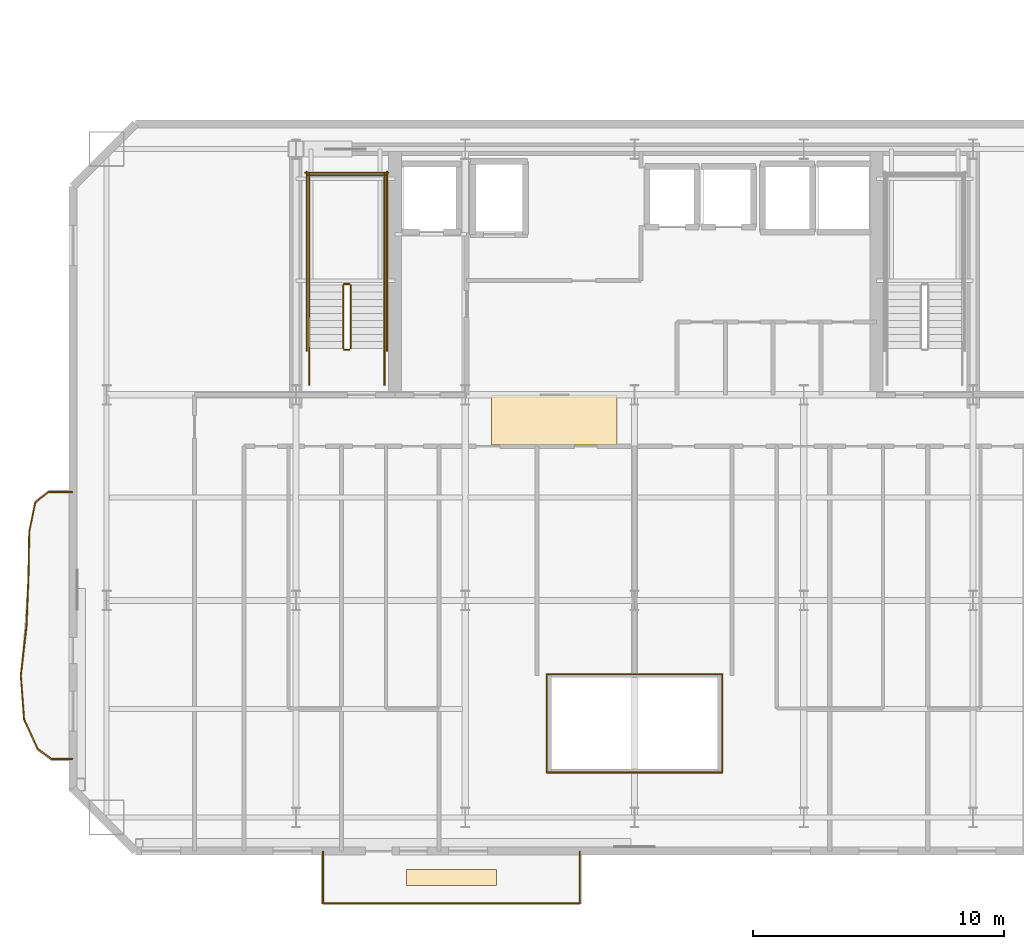
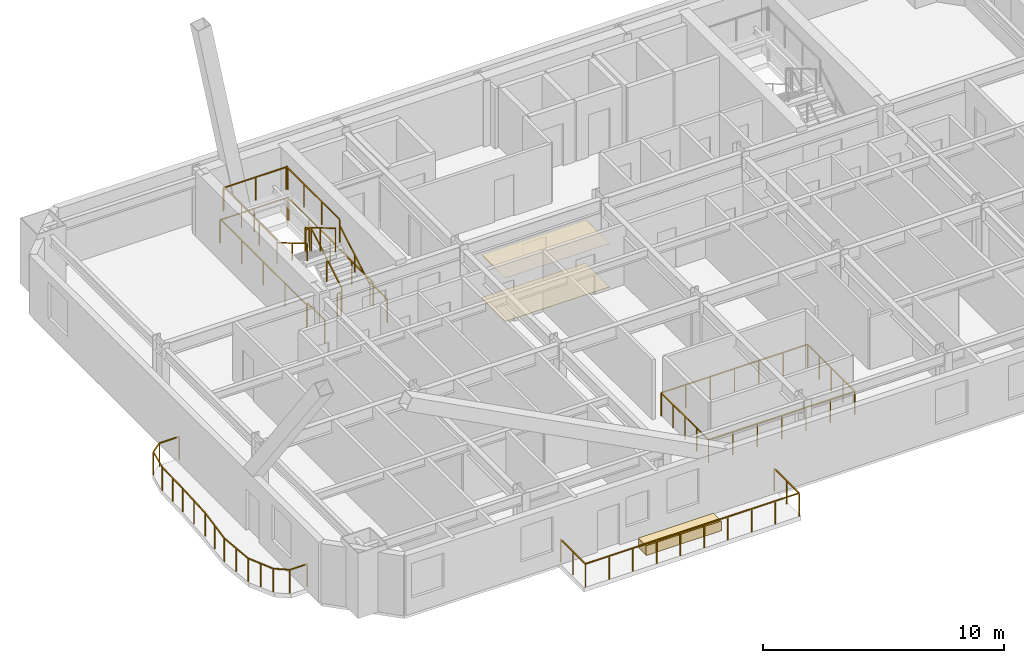
# One storey, part 11 of 14: 31 railings, 3 coverings.
"""IFC4 building model written with IfcOpenShell, lengths in metres."""

from ifc_helpers import new_model, si_unit, direction, frame, origin, origin_2d, place, context, subcontext, project, spatial, polyline, rectangle, outline, extrude, material, layer, layer_set, type_object, element, save


model = new_model("IFC4")

# Units and contexts
model_context = context("Model", 3, precision=1e-05, world=origin(), true_north=direction((0.0, 1.0)))
body_context = subcontext(model_context, "Body", "Model", "MODEL_VIEW")
ifc_project = project(units=[si_unit("LENGTHUNIT", "METRE"), si_unit("AREAUNIT", "SQUARE_METRE"), si_unit("VOLUMEUNIT", "CUBIC_METRE"), si_unit("PLANEANGLEUNIT", "RADIAN"), si_unit("MASSUNIT", "GRAM", prefix="KILO")], contexts=[model_context])

# Site, building, storey
site_placement = place(None, origin())
site = spatial("IfcSite", under=ifc_project, at=site_placement, CompositionType="ELEMENT")
building_placement = place(site_placement, origin())
building = spatial("IfcBuilding", under=site, at=building_placement, Name="Haevon Station Towers", CompositionType="ELEMENT")
storey_placement = place(building_placement, frame((0.0, 0.0, 123.0)))
storey = spatial("IfcBuildingStorey", under=building, at=storey_placement, Name="L33", CompositionType="ELEMENT", Elevation=123.0)

# Railings
ifc_material_1 = material(Name="Steel S355", Category="steel")
railing_type_1 = type_object("IfcRailingType", Name="BAL-ATR1200", PredefinedType="BALUSTRADE", material=ifc_material_1)
railing_1_placement = place(storey_placement, frame((33.995361328125, 23.141357421875, 0.0)))
element("IfcRailing", 1, at=railing_1_placement, inside=storey, type_object=railing_type_1, Name="L33 Atrium Void Balustrade 1", PredefinedType="BALUSTRADE", context=body_context, shape_type="SweptSolid", body=[
    extrude(rectangle(XDim=0.048095703125, YDim=0.048095703125, at=origin_2d()), frame((0.0, 0.0, 1.17578125), z_axis=(1.0, 0.0, 0.0), x_axis=(0.0, 1.0, 0.0)), (0.0, 0.0, 1.0), 7.00927734375),
    extrude(rectangle(XDim=0.0419921875, YDim=0.0419921875, at=origin_2d()), origin(), (0.0, 0.0, 1.0), 1.15185546875),
    extrude(rectangle(XDim=0.0419921875, YDim=0.0419921875, at=origin_2d()), frame((1.168212890625, 0.0, 0.0)), (0.0, 0.0, 1.0), 1.15185546875),
    extrude(rectangle(XDim=0.0419921875, YDim=0.0419921875, at=origin_2d()), frame((2.33642578125, 0.0, 0.0)), (0.0, 0.0, 1.0), 1.15185546875),
    extrude(rectangle(XDim=0.0419921875, YDim=0.0419921875, at=origin_2d()), frame((3.504638671875, 0.0, 0.0)), (0.0, 0.0, 1.0), 1.15185546875),
    extrude(rectangle(XDim=0.0419921875, YDim=0.0419921875, at=origin_2d()), frame((4.6728515625, 0.0, 0.0)), (0.0, 0.0, 1.0), 1.15185546875),
    extrude(rectangle(XDim=0.0419921875, YDim=0.0419921875, at=origin_2d()), frame((5.841064453125, 0.0, 0.0)), (0.0, 0.0, 1.0), 1.15185546875),
    extrude(rectangle(XDim=0.0419921875, YDim=0.0419921875, at=origin_2d()), frame((7.00927734375, 0.0, 0.0)), (0.0, 0.0, 1.0), 1.15185546875),
])
railing_2_placement = place(storey_placement, frame((41.004638671875, 23.141357421875, 0.0)))
element("IfcRailing", 2, at=railing_2_placement, inside=storey, type_object=railing_type_1, Name="L33 Atrium Void Balustrade 2", PredefinedType="BALUSTRADE", context=body_context, shape_type="SweptSolid", body=[
    extrude(rectangle(XDim=0.048095703125, YDim=0.048095703125, at=origin_2d()), frame((0.0, 0.0, 1.17578125), z_axis=(0.0, 1.0, 0.0), x_axis=(-1.0, 0.0, 0.0)), (0.0, 0.0, 1.0), 3.917236328125),
    extrude(rectangle(XDim=0.0419921875, YDim=0.0419921875, at=origin_2d()), origin(), (0.0, 0.0, 1.0), 1.15185546875),
    extrude(rectangle(XDim=0.0419921875, YDim=0.0419921875, at=origin_2d()), frame((0.0, 0.979248046875, 0.0)), (0.0, 0.0, 1.0), 1.15185546875),
    extrude(rectangle(XDim=0.0419921875, YDim=0.0419921875, at=origin_2d()), frame((0.0, 1.95849609375, 0.0)), (0.0, 0.0, 1.0), 1.15185546875),
    extrude(rectangle(XDim=0.0419921875, YDim=0.0419921875, at=origin_2d()), frame((0.0, 2.93798828125, 0.0)), (0.0, 0.0, 1.0), 1.15185546875),
    extrude(rectangle(XDim=0.0419921875, YDim=0.0419921875, at=origin_2d()), frame((0.0, 3.917236328125, 0.0)), (0.0, 0.0, 1.0), 1.15185546875),
])
railing_3_placement = place(storey_placement, frame((41.004638671875, 27.05859375, 0.0)))
element("IfcRailing", 3, at=railing_3_placement, inside=storey, type_object=railing_type_1, Name="L33 Atrium Void Balustrade 3", PredefinedType="BALUSTRADE", context=body_context, shape_type="SweptSolid", body=[
    extrude(rectangle(XDim=0.048095703125, YDim=0.048095703125, at=origin_2d()), frame((0.0, 0.0, 1.17578125), z_axis=(-1.0, 0.0, 0.0), x_axis=(0.0, -1.0, 0.0)), (0.0, 0.0, 1.0), 7.00927734375),
    extrude(rectangle(XDim=0.0419921875, YDim=0.0419921875, at=origin_2d()), origin(), (0.0, 0.0, 1.0), 1.15185546875),
    extrude(rectangle(XDim=0.0419921875, YDim=0.0419921875, at=origin_2d()), frame((-1.168212890625, 0.0, 0.0)), (0.0, 0.0, 1.0), 1.15185546875),
    extrude(rectangle(XDim=0.0419921875, YDim=0.0419921875, at=origin_2d()), frame((-2.33642578125, 0.0, 0.0)), (0.0, 0.0, 1.0), 1.15185546875),
    extrude(rectangle(XDim=0.0419921875, YDim=0.0419921875, at=origin_2d()), frame((-3.504638671875, 0.0, 0.0)), (0.0, 0.0, 1.0), 1.15185546875),
    extrude(rectangle(XDim=0.0419921875, YDim=0.0419921875, at=origin_2d()), frame((-4.6728515625, 0.0, 0.0)), (0.0, 0.0, 1.0), 1.15185546875),
    extrude(rectangle(XDim=0.0419921875, YDim=0.0419921875, at=origin_2d()), frame((-5.841064453125, 0.0, 0.0)), (0.0, 0.0, 1.0), 1.15185546875),
    extrude(rectangle(XDim=0.0419921875, YDim=0.0419921875, at=origin_2d()), frame((-7.00927734375, 0.0, 0.0)), (0.0, 0.0, 1.0), 1.15185546875),
])
railing_4_placement = place(storey_placement, frame((33.995361328125, 27.05859375, 0.0)))
element("IfcRailing", 4, at=railing_4_placement, inside=storey, type_object=railing_type_1, Name="L33 Atrium Void Balustrade 4", PredefinedType="BALUSTRADE", context=body_context, shape_type="SweptSolid", body=[
    extrude(rectangle(XDim=0.048095703125, YDim=0.048095703125, at=origin_2d()), frame((0.0, 0.0, 1.17578125), z_axis=(0.0, -1.0, 0.0), x_axis=(1.0, 0.0, 0.0)), (0.0, 0.0, 1.0), 3.917236328125),
    extrude(rectangle(XDim=0.0419921875, YDim=0.0419921875, at=origin_2d()), origin(), (0.0, 0.0, 1.0), 1.15185546875),
    extrude(rectangle(XDim=0.0419921875, YDim=0.0419921875, at=origin_2d()), frame((0.0, -0.979248046875, 0.0)), (0.0, 0.0, 1.0), 1.15185546875),
    extrude(rectangle(XDim=0.0419921875, YDim=0.0419921875, at=origin_2d()), frame((0.0, -1.95849609375, 0.0)), (0.0, 0.0, 1.0), 1.15185546875),
    extrude(rectangle(XDim=0.0419921875, YDim=0.0419921875, at=origin_2d()), frame((0.0, -2.93798828125, 0.0)), (0.0, 0.0, 1.0), 1.15185546875),
    extrude(rectangle(XDim=0.0419921875, YDim=0.0419921875, at=origin_2d()), frame((0.0, -3.917236328125, 0.0)), (0.0, 0.0, 1.0), 1.15185546875),
])

# Coverings
ifc_material_2 = material(Name="Gypsum acoustic ceiling tile", Category="concrete")
ifc_layer_1 = layer(ifc_material_2, 0.014892578125)
ifc_layer_set_1 = layer_set([ifc_layer_1], Name="Gypsum acoustic ceiling tile")
covering_type_1 = type_object("IfcCoveringType", Name="COV-CEIL15", PredefinedType="CEILING", material=ifc_layer_set_1)
covering_1_placement = place(storey_placement, frame((0.0, 0.0, 2.199951171875)))
element("IfcCovering", 5, at=covering_1_placement, inside=storey, type_object=covering_type_1, Name="L33 Acoustic Corridor Ceiling", PredefinedType="CEILING", context=body_context, shape_type="SweptSolid", body=[
    extrude(outline(polyline([(31.800048828125, 36.199951171875), (36.800048828125, 36.199951171875), (36.800048828125, 38.199951171875), (31.800048828125, 38.199951171875), (31.800048828125, 36.199951171875)])), origin(), (0.0, 0.0, 1.0), 0.01513671875),
])
ifc_material_3 = material(Name="Granite stone paving", Category="masonry")
ifc_layer_2 = layer(ifc_material_3, 0.02001953125)
ifc_layer_set_2 = layer_set([ifc_layer_2], Name="Granite stone paving")
covering_type_2 = type_object("IfcCoveringType", Name="COV-FLR20", PredefinedType="FLOORING", material=ifc_layer_set_2)
covering_2_placement = place(storey_placement, origin())
element("IfcCovering", 6, at=covering_2_placement, inside=storey, type_object=covering_type_2, Name="L33 Corridor Stone Flooring", PredefinedType="FLOORING", context=body_context, shape_type="SweptSolid", body=[
    extrude(outline(polyline([(31.800048828125, 36.199951171875), (36.800048828125, 36.199951171875), (36.800048828125, 38.199951171875), (31.800048828125, 38.199951171875), (31.800048828125, 36.199951171875)])), origin(), (0.0, 0.0, 1.0), 0.02001953125),
])

# Railings
railing_type_2 = type_object("IfcRailingType", Name="GRD-EXT1200", PredefinedType="GUARDRAIL", material=ifc_material_1)
railing_5_placement = place(storey_placement, frame((15.076416015625, 34.322265625, 0.0)))
element("IfcRailing", 7, at=railing_5_placement, inside=storey, type_object=railing_type_2, Name="L33 Perimeter Guardrail 1", PredefinedType="GUARDRAIL", context=body_context, shape_type="SweptSolid", body=[
    extrude(rectangle(XDim=0.048095703125, YDim=0.048095703125, at=origin_2d()), frame((0.0, 0.0, 1.17578125), z_axis=(-0.999997290248, -0.002327981276, 0.0), x_axis=(0.002327981276, -0.999997290248, 0.0)), (0.0, 0.0, 1.0), 0.94384765625),
    extrude(rectangle(XDim=0.0419921875, YDim=0.0419921875, at=origin_2d()), origin(), (0.0, 0.0, 1.0), 1.15185546875),
    extrude(rectangle(XDim=0.0419921875, YDim=0.0419921875, at=origin_2d()), frame((-0.94384765625, -0.002197265625, 0.0)), (0.0, 0.0, 1.0), 1.15185546875),
])
railing_6_placement = place(storey_placement, frame((14.132568359375, 34.320068359375, 0.0)))
element("IfcRailing", 8, at=railing_6_placement, inside=storey, type_object=railing_type_2, Name="L33 Perimeter Guardrail 2", PredefinedType="GUARDRAIL", context=body_context, shape_type="SweptSolid", body=[
    extrude(rectangle(XDim=0.048095703125, YDim=0.048095703125, at=origin_2d()), frame((0.0, 0.0, 1.17578125), z_axis=(-0.79178726734, -0.61079695749, 0.0), x_axis=(0.61079695749, -0.79178726734, 0.0)), (0.0, 0.0, 1.0), 0.673095703125),
    extrude(rectangle(XDim=0.0419921875, YDim=0.0419921875, at=origin_2d()), origin(), (0.0, 0.0, 1.0), 1.15185546875),
    extrude(rectangle(XDim=0.0419921875, YDim=0.0419921875, at=origin_2d()), frame((-0.532958984375, -0.4111328125, 0.0)), (0.0, 0.0, 1.0), 1.15185546875),
])
railing_7_placement = place(storey_placement, frame((13.599609375, 33.908935546875, 0.0)))
element("IfcRailing", 9, at=railing_7_placement, inside=storey, type_object=railing_type_2, Name="L33 Perimeter Guardrail 3", PredefinedType="GUARDRAIL", context=body_context, shape_type="SweptSolid", body=[
    extrude(rectangle(XDim=0.048095703125, YDim=0.048095703125, at=origin_2d()), frame((0.0, 0.0, 1.17578125), z_axis=(-0.199771721582, -0.979842466551, 0.0), x_axis=(0.979842466551, -0.199771721582, 0.0)), (0.0, 0.0, 1.0), 1.194091796875),
    extrude(rectangle(XDim=0.0419921875, YDim=0.0419921875, at=origin_2d()), origin(), (0.0, 0.0, 1.0), 1.15185546875),
    extrude(rectangle(XDim=0.0419921875, YDim=0.0419921875, at=origin_2d()), frame((-0.238525390625, -1.169921875, 0.0)), (0.0, 0.0, 1.0), 1.15185546875),
])
railing_8_placement = place(storey_placement, frame((13.361083984375, 32.739013671875, 0.0)))
element("IfcRailing", 10, at=railing_8_placement, inside=storey, type_object=railing_type_2, Name="L33 Perimeter Guardrail 4", PredefinedType="GUARDRAIL", context=body_context, shape_type="SweptSolid", body=[
    extrude(rectangle(XDim=0.048095703125, YDim=0.048095703125, at=origin_2d()), frame((0.0, 0.0, 1.17578125), z_axis=(-0.017572959065, -0.999845583633, 0.0), x_axis=(0.999845583633, -0.017572959065, 0.0)), (0.0, 0.0, 1.0), 1.75048828125),
    extrude(rectangle(XDim=0.0419921875, YDim=0.0419921875, at=origin_2d()), origin(), (0.0, 0.0, 1.0), 1.15185546875),
    extrude(rectangle(XDim=0.0419921875, YDim=0.0419921875, at=origin_2d()), frame((-0.015380859375, -0.875, 0.0)), (0.0, 0.0, 1.0), 1.15185546875),
    extrude(rectangle(XDim=0.0419921875, YDim=0.0419921875, at=origin_2d()), frame((-0.03076171875, -1.750244140625, 0.0)), (0.0, 0.0, 1.0), 1.15185546875),
])
railing_9_placement = place(storey_placement, frame((13.330322265625, 30.98876953125, 0.0)))
element("IfcRailing", 11, at=railing_9_placement, inside=storey, type_object=railing_type_2, Name="L33 Perimeter Guardrail 5", PredefinedType="GUARDRAIL", context=body_context, shape_type="SweptSolid", body=[
    extrude(rectangle(XDim=0.048095703125, YDim=0.048095703125, at=origin_2d()), frame((0.0, 0.0, 1.17578125), z_axis=(-0.038150453475, -0.999272006463, 0.0), x_axis=(0.999272006463, -0.038150453475, 0.0)), (0.0, 0.0, 1.0), 1.990234375),
    extrude(rectangle(XDim=0.0419921875, YDim=0.0419921875, at=origin_2d()), origin(), (0.0, 0.0, 1.0), 1.15185546875),
    extrude(rectangle(XDim=0.0419921875, YDim=0.0419921875, at=origin_2d()), frame((-0.0380859375, -0.994384765625, 0.0)), (0.0, 0.0, 1.0), 1.15185546875),
    extrude(rectangle(XDim=0.0419921875, YDim=0.0419921875, at=origin_2d()), frame((-0.075927734375, -1.98876953125, 0.0)), (0.0, 0.0, 1.0), 1.15185546875),
])
railing_10_placement = place(storey_placement, frame((13.25439453125, 29.0, 0.0)))
element("IfcRailing", 12, at=railing_10_placement, inside=storey, type_object=railing_type_2, Name="L33 Perimeter Guardrail 6", PredefinedType="GUARDRAIL", context=body_context, shape_type="SweptSolid", body=[
    extrude(rectangle(XDim=0.048095703125, YDim=0.048095703125, at=origin_2d()), frame((0.0, 0.0, 1.17578125), z_axis=(-0.114933725314, -0.993373161901, 0.0), x_axis=(0.993373161901, -0.114933725314, 0.0)), (0.0, 0.0, 1.0), 2.005126953125),
    extrude(rectangle(XDim=0.0419921875, YDim=0.0419921875, at=origin_2d()), origin(), (0.0, 0.0, 1.0), 1.15185546875),
    extrude(rectangle(XDim=0.0419921875, YDim=0.0419921875, at=origin_2d()), frame((-0.115234375, -0.99609375, 0.0)), (0.0, 0.0, 1.0), 1.15185546875),
    extrude(rectangle(XDim=0.0419921875, YDim=0.0419921875, at=origin_2d()), frame((-0.23046875, -1.991943359375, 0.0)), (0.0, 0.0, 1.0), 1.15185546875),
])
railing_11_placement = place(storey_placement, frame((13.02392578125, 27.008056640625, 0.0)))
element("IfcRailing", 13, at=railing_11_placement, inside=storey, type_object=railing_type_2, Name="L33 Perimeter Guardrail 7", PredefinedType="GUARDRAIL", context=body_context, shape_type="SweptSolid", body=[
    extrude(rectangle(XDim=0.048095703125, YDim=0.048095703125, at=origin_2d()), frame((0.0, 0.0, 1.17578125), z_axis=(0.074672193364, -0.997208134513, 0.0), x_axis=(0.997208134513, 0.074672193364, 0.0)), (0.0, 0.0, 1.0), 1.75244140625),
    extrude(rectangle(XDim=0.0419921875, YDim=0.0419921875, at=origin_2d()), origin(), (0.0, 0.0, 1.0), 1.15185546875),
    extrude(rectangle(XDim=0.0419921875, YDim=0.0419921875, at=origin_2d()), frame((0.0654296875, -0.873779296875, 0.0)), (0.0, 0.0, 1.0), 1.15185546875),
    extrude(rectangle(XDim=0.0419921875, YDim=0.0419921875, at=origin_2d()), frame((0.130859375, -1.74755859375, 0.0)), (0.0, 0.0, 1.0), 1.15185546875),
])
railing_12_placement = place(storey_placement, frame((13.15478515625, 25.260498046875, 0.0)))
element("IfcRailing", 14, at=railing_12_placement, inside=storey, type_object=railing_type_2, Name="L33 Perimeter Guardrail 8", PredefinedType="GUARDRAIL", context=body_context, shape_type="SweptSolid", body=[
    extrude(rectangle(XDim=0.048095703125, YDim=0.048095703125, at=origin_2d()), frame((0.0, 0.0, 1.17578125), z_axis=(0.413917488552, -0.910314403198, 0.0), x_axis=(0.910314403198, 0.413917488552, 0.0)), (0.0, 0.0, 1.0), 1.28466796875),
    extrude(rectangle(XDim=0.0419921875, YDim=0.0419921875, at=origin_2d()), origin(), (0.0, 0.0, 1.0), 1.15185546875),
    extrude(rectangle(XDim=0.0419921875, YDim=0.0419921875, at=origin_2d()), frame((0.265869140625, -0.584716796875, 0.0)), (0.0, 0.0, 1.0), 1.15185546875),
    extrude(rectangle(XDim=0.0419921875, YDim=0.0419921875, at=origin_2d()), frame((0.53173828125, -1.16943359375, 0.0)), (0.0, 0.0, 1.0), 1.15185546875),
])
railing_13_placement = place(storey_placement, frame((13.6865234375, 24.091064453125, 0.0)))
element("IfcRailing", 15, at=railing_13_placement, inside=storey, type_object=railing_type_2, Name="L33 Perimeter Guardrail 9", PredefinedType="GUARDRAIL", context=body_context, shape_type="SweptSolid", body=[
    extrude(rectangle(XDim=0.048095703125, YDim=0.048095703125, at=origin_2d()), frame((0.0, 0.0, 1.17578125), z_axis=(0.801826187868, -0.597557331516, 0.0), x_axis=(0.597557331516, 0.801826187868, 0.0)), (0.0, 0.0, 1.0), 0.6884765625),
    extrude(rectangle(XDim=0.0419921875, YDim=0.0419921875, at=origin_2d()), origin(), (0.0, 0.0, 1.0), 1.15185546875),
    extrude(rectangle(XDim=0.0419921875, YDim=0.0419921875, at=origin_2d()), frame((0.552001953125, -0.411376953125, 0.0)), (0.0, 0.0, 1.0), 1.15185546875),
])
railing_14_placement = place(storey_placement, frame((14.238525390625, 23.6796875, 0.0)))
element("IfcRailing", 16, at=railing_14_placement, inside=storey, type_object=railing_type_2, Name="L33 Perimeter Guardrail 10", PredefinedType="GUARDRAIL", context=body_context, shape_type="SweptSolid", body=[
    extrude(rectangle(XDim=0.048095703125, YDim=0.048095703125, at=origin_2d()), frame((0.0, 0.0, 1.17578125), z_axis=(0.999997283225, -0.002330995998, 0.0), x_axis=(0.002330995998, 0.999997283225, 0.0)), (0.0, 0.0, 1.0), 0.837890625),
    extrude(rectangle(XDim=0.0419921875, YDim=0.0419921875, at=origin_2d()), origin(), (0.0, 0.0, 1.0), 1.15185546875),
    extrude(rectangle(XDim=0.0419921875, YDim=0.0419921875, at=origin_2d()), frame((0.837890625, -0.001953125, 0.0)), (0.0, 0.0, 1.0), 1.15185546875),
])
railing_15_placement = place(storey_placement, frame((25.078369140625, 17.915771484375, 0.0)))
element("IfcRailing", 17, at=railing_15_placement, inside=storey, type_object=railing_type_2, Name="L33 Perimeter Guardrail 1", PredefinedType="GUARDRAIL", context=body_context, shape_type="SweptSolid", body=[
    extrude(rectangle(XDim=0.048095703125, YDim=0.048095703125, at=origin_2d()), frame((0.0, 0.0, 1.17578125), z_axis=(1.0, 0.0, 0.0), x_axis=(0.0, 1.0, 0.0)), (0.0, 0.0, 1.0), 10.2431640625),
    extrude(rectangle(XDim=0.0419921875, YDim=0.0419921875, at=origin_2d()), origin(), (0.0, 0.0, 1.0), 1.15185546875),
    extrude(rectangle(XDim=0.0419921875, YDim=0.0419921875, at=origin_2d()), frame((1.13818359375, 0.0, 0.0)), (0.0, 0.0, 1.0), 1.15185546875),
    extrude(rectangle(XDim=0.0419921875, YDim=0.0419921875, at=origin_2d()), frame((2.2763671875, 0.0, 0.0)), (0.0, 0.0, 1.0), 1.15185546875),
    extrude(rectangle(XDim=0.0419921875, YDim=0.0419921875, at=origin_2d()), frame((3.414306640625, 0.0, 0.0)), (0.0, 0.0, 1.0), 1.15185546875),
    extrude(rectangle(XDim=0.0419921875, YDim=0.0419921875, at=origin_2d()), frame((4.552490234375, 0.0, 0.0)), (0.0, 0.0, 1.0), 1.15185546875),
    extrude(rectangle(XDim=0.0419921875, YDim=0.0419921875, at=origin_2d()), frame((5.690673828125, 0.0, 0.0)), (0.0, 0.0, 1.0), 1.15185546875),
    extrude(rectangle(XDim=0.0419921875, YDim=0.0419921875, at=origin_2d()), frame((6.828857421875, 0.0, 0.0)), (0.0, 0.0, 1.0), 1.15185546875),
    extrude(rectangle(XDim=0.0419921875, YDim=0.0419921875, at=origin_2d()), frame((7.966796875, 0.0, 0.0)), (0.0, 0.0, 1.0), 1.15185546875),
    extrude(rectangle(XDim=0.0419921875, YDim=0.0419921875, at=origin_2d()), frame((9.10498046875, 0.0, 0.0)), (0.0, 0.0, 1.0), 1.15185546875),
    extrude(rectangle(XDim=0.0419921875, YDim=0.0419921875, at=origin_2d()), frame((10.2431640625, 0.0, 0.0)), (0.0, 0.0, 1.0), 1.15185546875),
])
railing_16_placement = place(storey_placement, frame((35.321533203125, 17.915771484375, 0.0)))
element("IfcRailing", 18, at=railing_16_placement, inside=storey, type_object=railing_type_2, Name="L33 Perimeter Guardrail 2", PredefinedType="GUARDRAIL", context=body_context, shape_type="SweptSolid", body=[
    extrude(rectangle(XDim=0.048095703125, YDim=0.048095703125, at=origin_2d()), frame((0.0, 0.0, 1.17578125), z_axis=(0.0, 1.0, 0.0), x_axis=(-1.0, 0.0, 0.0)), (0.0, 0.0, 1.0), 2.0634765625),
    extrude(rectangle(XDim=0.0419921875, YDim=0.0419921875, at=origin_2d()), origin(), (0.0, 0.0, 1.0), 1.15185546875),
    extrude(rectangle(XDim=0.0419921875, YDim=0.0419921875, at=origin_2d()), frame((0.0, 1.03173828125, 0.0)), (0.0, 0.0, 1.0), 1.15185546875),
    extrude(rectangle(XDim=0.0419921875, YDim=0.0419921875, at=origin_2d()), frame((0.0, 2.0634765625, 0.0)), (0.0, 0.0, 1.0), 1.15185546875),
])
railing_17_placement = place(storey_placement, frame((25.078369140625, 19.979248046875, 0.0)))
element("IfcRailing", 19, at=railing_17_placement, inside=storey, type_object=railing_type_2, Name="L33 Perimeter Guardrail 3", PredefinedType="GUARDRAIL", context=body_context, shape_type="SweptSolid", body=[
    extrude(rectangle(XDim=0.048095703125, YDim=0.048095703125, at=origin_2d()), frame((0.0, 0.0, 1.17578125), z_axis=(0.0, -1.0, 0.0), x_axis=(1.0, 0.0, 0.0)), (0.0, 0.0, 1.0), 2.0634765625),
    extrude(rectangle(XDim=0.0419921875, YDim=0.0419921875, at=origin_2d()), origin(), (0.0, 0.0, 1.0), 1.15185546875),
    extrude(rectangle(XDim=0.0419921875, YDim=0.0419921875, at=origin_2d()), frame((0.0, -1.03173828125, 0.0)), (0.0, 0.0, 1.0), 1.15185546875),
    extrude(rectangle(XDim=0.0419921875, YDim=0.0419921875, at=origin_2d()), frame((0.0, -2.0634765625, 0.0)), (0.0, 0.0, 1.0), 1.15185546875),
])
railing_type_3 = type_object("IfcRailingType", Name="GRD-STR1200", PredefinedType="GUARDRAIL", material=ifc_material_1)
railing_18_placement = place(storey_placement, frame((26.179931640625, 40.050048828125, 0.1650390625)))
element("IfcRailing", 20, at=railing_18_placement, inside=storey, type_object=railing_type_3, Name="L33 ST1 Stair Guard 1", PredefinedType="GUARDRAIL", context=body_context, shape_type="SweptSolid", body=[
    extrude(rectangle(XDim=0.048095703125, YDim=0.048095703125, at=origin_2d()), frame((0.0, 0.0, 1.17578125), z_axis=(0.0, 0.861560626758, 0.507654692109), x_axis=(-1.0, 0.0, 0.0)), (0.0, 0.0, 1.0), 2.925048828125),
    extrude(rectangle(XDim=0.0419921875, YDim=0.0419921875, at=origin_2d()), origin(), (0.0, 0.0, 1.0), 1.15185546875),
    extrude(rectangle(XDim=0.0419921875, YDim=0.0419921875, at=origin_2d()), frame((0.0, 1.260009765625, 0.742431640625)), (0.0, 0.0, 1.0), 1.15185546875),
    extrude(rectangle(XDim=0.0419921875, YDim=0.0419921875, at=origin_2d()), frame((0.0, 2.52001953125, 1.48486328125)), (0.0, 0.0, 1.0), 1.15185546875),
])
railing_19_placement = place(storey_placement, frame((26.1298828125, 42.6201171875, 1.64990234375)))
element("IfcRailing", 21, at=railing_19_placement, inside=storey, type_object=railing_type_3, Name="L33 ST1 Stair Guard 2", PredefinedType="GUARDRAIL", context=body_context, shape_type="SweptSolid", body=[
    extrude(rectangle(XDim=0.048095703125, YDim=0.048095703125, at=origin_2d()), frame((0.0, 0.0, 1.17578125), z_axis=(-1.0, 0.0, 0.0), x_axis=(0.0, -1.0, 0.0)), (0.0, 0.0, 1.0), 0.199951171875),
    extrude(rectangle(XDim=0.0419921875, YDim=0.0419921875, at=origin_2d()), origin(), (0.0, 0.0, 1.0), 1.15185546875),
    extrude(rectangle(XDim=0.0419921875, YDim=0.0419921875, at=origin_2d()), frame((-0.199951171875, 0.0, 0.0)), (0.0, 0.0, 1.0), 1.15185546875),
])
for number, where, name in (
    (22, (27.530029296875, 42.570068359375, 1.64990234375), "L33 ST1 Stair Guard 3"),
    (23, (24.530029296875, 42.570068359375, 1.64990234375), "L33 ST1 Stair Guard 4"),
):
    element("IfcRailing", number, at=place(storey_placement, frame(where)), inside=storey, type_object=railing_type_3, Name=name, PredefinedType="GUARDRAIL", context=body_context, shape_type="SweptSolid", body=[
        extrude(rectangle(XDim=0.048095703125, YDim=0.048095703125, at=origin_2d()), frame((0.0, 0.0, 1.17578125), z_axis=(0.0, 1.0, 0.0), x_axis=(-1.0, 0.0, 0.0)), (0.0, 0.0, 1.0), 4.429931640625),
        extrude(rectangle(XDim=0.0419921875, YDim=0.0419921875, at=origin_2d()), origin(), (0.0, 0.0, 1.0), 1.15185546875),
        extrude(rectangle(XDim=0.0419921875, YDim=0.0419921875, at=origin_2d()), frame((0.0, 1.4765625, 0.0)), (0.0, 0.0, 1.0), 1.15185546875),
        extrude(rectangle(XDim=0.0419921875, YDim=0.0419921875, at=origin_2d()), frame((0.0, 2.953369140625, 0.0)), (0.0, 0.0, 1.0), 1.15185546875),
        extrude(rectangle(XDim=0.0419921875, YDim=0.0419921875, at=origin_2d()), frame((0.0, 4.429931640625, 0.0)), (0.0, 0.0, 1.0), 1.15185546875),
    ])
railing_20_placement = place(storey_placement, frame((27.580078125, 46.949951171875, 1.64990234375)))
element("IfcRailing", 24, at=railing_20_placement, inside=storey, type_object=railing_type_3, Name="L33 ST1 Stair Guard 5", PredefinedType="GUARDRAIL", context=body_context, shape_type="SweptSolid", body=[
    extrude(rectangle(XDim=0.048095703125, YDim=0.048095703125, at=origin_2d()), frame((0.0, 0.0, 1.17578125), z_axis=(-1.0, 0.0, 0.0), x_axis=(0.0, -1.0, 0.0)), (0.0, 0.0, 1.0), 3.10009765625),
    extrude(rectangle(XDim=0.0419921875, YDim=0.0419921875, at=origin_2d()), origin(), (0.0, 0.0, 1.0), 1.15185546875),
    extrude(rectangle(XDim=0.0419921875, YDim=0.0419921875, at=origin_2d()), frame((-1.550048828125, 0.0, 0.0)), (0.0, 0.0, 1.0), 1.15185546875),
    extrude(rectangle(XDim=0.0419921875, YDim=0.0419921875, at=origin_2d()), frame((-3.10009765625, 0.0, 0.0)), (0.0, 0.0, 1.0), 1.15185546875),
])
railing_21_placement = place(storey_placement, frame((25.8798828125, 42.570068359375, 1.81494140625)))
element("IfcRailing", 25, at=railing_21_placement, inside=storey, type_object=railing_type_3, Name="L33 ST1 Stair Guard 6", PredefinedType="GUARDRAIL", context=body_context, shape_type="SweptSolid", body=[
    extrude(rectangle(XDim=0.048095703125, YDim=0.048095703125, at=origin_2d()), frame((0.0, 0.0, 1.17578125), z_axis=(0.0, -0.86152411907, 0.507716645641), x_axis=(1.0, 0.0, 0.0)), (0.0, 0.0, 1.0), 2.925048828125),
    extrude(rectangle(XDim=0.0419921875, YDim=0.0419921875, at=origin_2d()), origin(), (0.0, 0.0, 1.0), 1.15185546875),
    extrude(rectangle(XDim=0.0419921875, YDim=0.0419921875, at=origin_2d()), frame((0.0, -1.260009765625, 0.74267578125)), (0.0, 0.0, 1.0), 1.15185546875),
    extrude(rectangle(XDim=0.0419921875, YDim=0.0419921875, at=origin_2d()), frame((0.0, -2.52001953125, 1.485107421875)), (0.0, 0.0, 1.0), 1.15185546875),
])
railing_22_placement = place(storey_placement, frame((26.1298828125, 40.0, 0.0)))
element("IfcRailing", 26, at=railing_22_placement, inside=storey, type_object=railing_type_3, Name="L33 ST1 Stair Guard 7", PredefinedType="GUARDRAIL", context=body_context, shape_type="SweptSolid", body=[
    extrude(rectangle(XDim=0.048095703125, YDim=0.048095703125, at=origin_2d()), frame((0.0, 0.0, 1.17578125), z_axis=(-1.0, 0.0, 0.0), x_axis=(0.0, -1.0, 0.0)), (0.0, 0.0, 1.0), 0.199951171875),
    extrude(rectangle(XDim=0.0419921875, YDim=0.0419921875, at=origin_2d()), origin(), (0.0, 0.0, 1.0), 1.15185546875),
    extrude(rectangle(XDim=0.0419921875, YDim=0.0419921875, at=origin_2d()), frame((-0.199951171875, 0.0, 0.0)), (0.0, 0.0, 1.0), 1.15185546875),
])
for number, where, name in (
    (27, (27.530029296875, 38.60009765625, 0.0), "L33 ST1 Stair Guard 8"),
    (28, (24.530029296875, 38.60009765625, 0.0), "L33 ST1 Stair Guard 9"),
):
    element("IfcRailing", number, at=place(storey_placement, frame(where)), inside=storey, type_object=railing_type_3, Name=name, PredefinedType="GUARDRAIL", context=body_context, shape_type="SweptSolid", body=[
        extrude(rectangle(XDim=0.048095703125, YDim=0.048095703125, at=origin_2d()), frame((0.0, 0.0, 1.17578125), z_axis=(0.0, 1.0, 0.0), x_axis=(-1.0, 0.0, 0.0)), (0.0, 0.0, 1.0), 1.449951171875),
        extrude(rectangle(XDim=0.0419921875, YDim=0.0419921875, at=origin_2d()), origin(), (0.0, 0.0, 1.0), 1.15185546875),
        extrude(rectangle(XDim=0.0419921875, YDim=0.0419921875, at=origin_2d()), frame((0.0, 1.449951171875, 0.0)), (0.0, 0.0, 1.0), 1.15185546875),
    ])
for number, where, name in (
    (29, (27.6298828125, 39.949951171875, 0.0), "L33 ST1 Stair Guard 10"),
    (30, (24.429931640625, 39.949951171875, 0.0), "L33 ST1 Stair Guard 11"),
):
    element("IfcRailing", number, at=place(storey_placement, frame(where)), inside=storey, type_object=railing_type_3, Name=name, PredefinedType="GUARDRAIL", context=body_context, shape_type="SweptSolid", body=[
        extrude(rectangle(XDim=0.048095703125, YDim=0.048095703125, at=origin_2d()), frame((0.0, 0.0, 1.17578125), z_axis=(0.0, 1.0, 0.0), x_axis=(-1.0, 0.0, 0.0)), (0.0, 0.0, 1.0), 7.150146484375),
        extrude(rectangle(XDim=0.0419921875, YDim=0.0419921875, at=origin_2d()), origin(), (0.0, 0.0, 1.0), 1.15185546875),
        extrude(rectangle(XDim=0.0419921875, YDim=0.0419921875, at=origin_2d()), frame((0.0, 1.78759765625, 0.0)), (0.0, 0.0, 1.0), 1.15185546875),
        extrude(rectangle(XDim=0.0419921875, YDim=0.0419921875, at=origin_2d()), frame((0.0, 3.5751953125, 0.0)), (0.0, 0.0, 1.0), 1.15185546875),
        extrude(rectangle(XDim=0.0419921875, YDim=0.0419921875, at=origin_2d()), frame((0.0, 5.362548828125, 0.0)), (0.0, 0.0, 1.0), 1.15185546875),
        extrude(rectangle(XDim=0.0419921875, YDim=0.0419921875, at=origin_2d()), frame((0.0, 7.150146484375, 0.0)), (0.0, 0.0, 1.0), 1.15185546875),
    ])
railing_23_placement = place(storey_placement, frame((27.679931640625, 47.050048828125, 0.0)))
element("IfcRailing", 31, at=railing_23_placement, inside=storey, type_object=railing_type_3, Name="L33 ST1 Stair Guard 12", PredefinedType="GUARDRAIL", context=body_context, shape_type="SweptSolid", body=[
    extrude(rectangle(XDim=0.048095703125, YDim=0.048095703125, at=origin_2d()), frame((0.0, 0.0, 1.17578125), z_axis=(-1.0, 0.0, 0.0), x_axis=(0.0, -1.0, 0.0)), (0.0, 0.0, 1.0), 3.300048828125),
    extrude(rectangle(XDim=0.0419921875, YDim=0.0419921875, at=origin_2d()), origin(), (0.0, 0.0, 1.0), 1.15185546875),
    extrude(rectangle(XDim=0.0419921875, YDim=0.0419921875, at=origin_2d()), frame((-1.64990234375, 0.0, 0.0)), (0.0, 0.0, 1.0), 1.15185546875),
    extrude(rectangle(XDim=0.0419921875, YDim=0.0419921875, at=origin_2d()), frame((-3.300048828125, 0.0, 0.0)), (0.0, 0.0, 1.0), 1.15185546875),
])
railing_type_4 = type_object("IfcRailingType", Name="HND-STR900", PredefinedType="HANDRAIL", material=ifc_material_1)
railing_24_placement = place(storey_placement, frame((27.530029296875, 40.050048828125, 0.1650390625)))
element("IfcRailing", 32, at=railing_24_placement, inside=storey, type_object=railing_type_4, Name="L33 ST1 Stair Handrail 1", PredefinedType="HANDRAIL", context=body_context, shape_type="SweptSolid", body=[
    extrude(rectangle(XDim=0.048095703125, YDim=0.048095703125, at=origin_2d()), frame((0.0, 0.0, 0.8759765625), z_axis=(0.0, 0.861560626758, 0.507654692109), x_axis=(-1.0, 0.0, 0.0)), (0.0, 0.0, 1.0), 2.925048828125),
    extrude(rectangle(XDim=0.0419921875, YDim=0.0419921875, at=origin_2d()), origin(), (0.0, 0.0, 1.0), 0.851806640625),
    extrude(rectangle(XDim=0.0419921875, YDim=0.0419921875, at=origin_2d()), frame((0.0, 1.260009765625, 0.742431640625)), (0.0, 0.0, 1.0), 0.851806640625),
    extrude(rectangle(XDim=0.0419921875, YDim=0.0419921875, at=origin_2d()), frame((0.0, 2.52001953125, 1.48486328125)), (0.0, 0.0, 1.0), 0.851806640625),
])
railing_25_placement = place(storey_placement, frame((24.530029296875, 42.570068359375, 1.81494140625)))
element("IfcRailing", 33, at=railing_25_placement, inside=storey, type_object=railing_type_4, Name="L33 ST1 Stair Handrail 2", PredefinedType="HANDRAIL", context=body_context, shape_type="SweptSolid", body=[
    extrude(rectangle(XDim=0.048095703125, YDim=0.048095703125, at=origin_2d()), frame((0.0, 0.0, 0.8759765625), z_axis=(0.0, -0.86152411907, 0.507716645641), x_axis=(1.0, 0.0, 0.0)), (0.0, 0.0, 1.0), 2.925048828125),
    extrude(rectangle(XDim=0.0419921875, YDim=0.0419921875, at=origin_2d()), origin(), (0.0, 0.0, 1.0), 0.851806640625),
    extrude(rectangle(XDim=0.0419921875, YDim=0.0419921875, at=origin_2d()), frame((0.0, -1.260009765625, 0.74267578125)), (0.0, 0.0, 1.0), 0.851806640625),
    extrude(rectangle(XDim=0.0419921875, YDim=0.0419921875, at=origin_2d()), frame((0.0, -2.52001953125, 1.485107421875)), (0.0, 0.0, 1.0), 0.851806640625),
])

# Covering
ifc_material_4 = material(Name="Architectural planter GRC", Category="concrete")
ifc_layer_3 = layer(ifc_material_4, 0.550048828125)
ifc_layer_set_3 = layer_set([ifc_layer_3], Name="Architectural planter GRC")
covering_type_3 = type_object("IfcCoveringType", Name="PLN-GRC550", PredefinedType="MOLDING", material=ifc_layer_set_3)
covering_3_placement = place(storey_placement, frame((30.199951171875, 18.947509765625, 0.0), z_axis=(0.0, 0.0, 1.0), x_axis=(1.0, 0.0, 0.0)))
element("IfcCovering", 34, at=covering_3_placement, inside=storey, type_object=covering_type_3, Name="Tower 1 L33 Facade Trough PLANTER", PredefinedType="MOLDING", context=body_context, shape_type="SweptSolid", body=[
    extrude(rectangle(XDim=3.60009765625, YDim=0.64990234375, at=origin_2d()), origin(), (0.0, 0.0, 1.0), 0.5),
])

save(model, "model.ifc")
